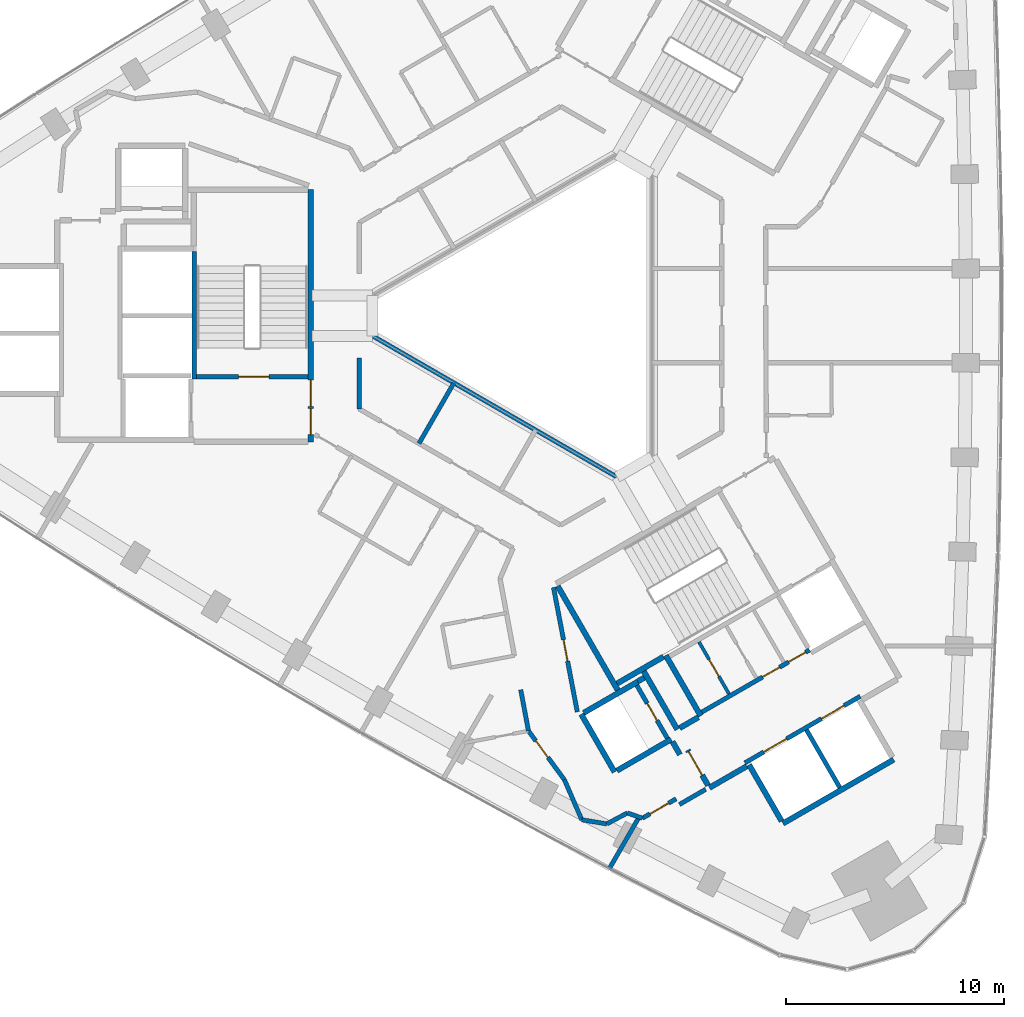
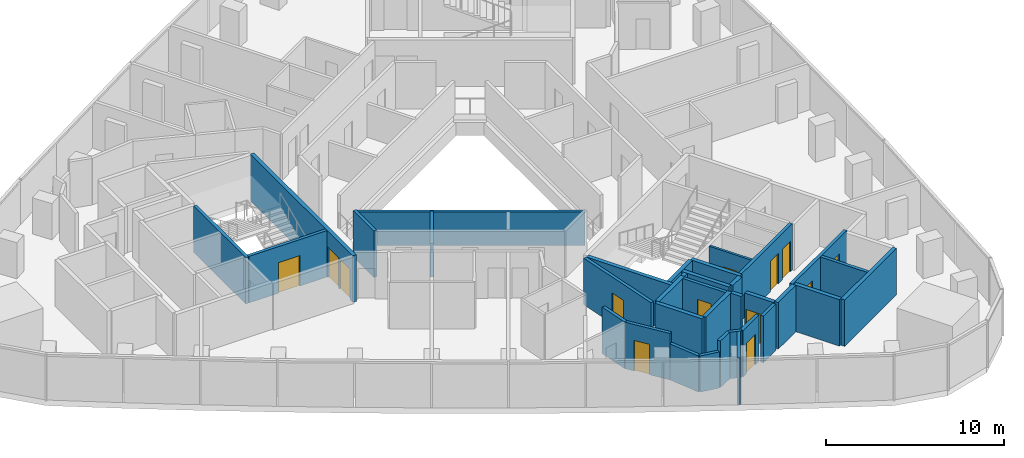
# One storey, part 8 of 13: 35 walls, 13 doors, 13 openings.
"""IFC4 building model written with IfcOpenShell, lengths in metres."""

from ifc_helpers import new_model, si_unit, direction, frame, frame_2d, origin, place, context, subcontext, project, spatial, rectangle, extrude, material, layer, layer_set, type_object, element, fill, save


model = new_model("IFC4")

# Units and contexts
model_context = context("Model", 3, precision=1e-05, world=origin(), true_north=direction((0.0, 1.0)))
body_context = subcontext(model_context, "Body", "Model", "MODEL_VIEW")
ifc_project = project(units=[si_unit("LENGTHUNIT", "METRE"), si_unit("AREAUNIT", "SQUARE_METRE"), si_unit("VOLUMEUNIT", "CUBIC_METRE"), si_unit("PLANEANGLEUNIT", "RADIAN"), si_unit("MASSUNIT", "GRAM", prefix="KILO")], contexts=[model_context])

# Site, building, storey
site_placement = place(None, origin())
site = spatial("IfcSite", under=ifc_project, at=site_placement, CompositionType="ELEMENT")
building_placement = place(site_placement, origin())
building = spatial("IfcBuilding", under=site, at=building_placement, Name="Tamra Quay Hotel Tower", CompositionType="ELEMENT")
storey_placement = place(building_placement, frame((0.0, 0.0, 161.199951171875)))
storey = spatial("IfcBuildingStorey", under=building, at=storey_placement, Name="L40", CompositionType="ELEMENT", Elevation=161.199951171875)

# Wall
ifc_material_1 = material(Name="Concrete M70", Category="concrete")
ifc_layer_1 = layer(ifc_material_1, 0.199951171875)
ifc_layer_set_1 = layer_set([ifc_layer_1], Name="Concrete M70 core wall 200")
wall_type_1 = type_object("IfcWallType", Name="Concrete M70 core wall 200", PredefinedType="SHEAR", material=ifc_layer_set_1)
wall_1_placement = place(storey_placement, frame((-16.162109375, 2.95068359375, 0.0), z_axis=(0.0, 0.0, 1.0), x_axis=(0.0, -1.0, 0.0)))
element("IfcWall", 1, at=wall_1_placement, inside=storey, type_object=wall_type_1, Name="CW2", PredefinedType="SHEAR", context=body_context, shape_type="SweptSolid", body=[
    extrude(rectangle(XDim=5.850830078125, YDim=0.199951171875, at=frame_2d((2.92529296875, 0.0))), origin(), (0.0, 0.0, 1.0), 3.199951171875),
])

# Wall, opening, door
wall_2_placement = place(storey_placement, frame((-10.96337890625, -2.800048828125, 0.0), z_axis=(0.0, 0.0, 1.0), x_axis=(-1.0, 0.0, 0.0)))
wall_2 = element("IfcWall", 2, at=wall_2_placement, inside=storey, type_object=wall_type_1, Name="CW2", PredefinedType="SHEAR", context=body_context, shape_type="SweptSolid", body=[
    extrude(rectangle(XDim=5.097900390625, YDim=0.199951171875, at=frame_2d((2.548828125, 0.0))), origin(), (0.0, 0.0, 1.0), 3.199951171875),
])
opening_1_placement = place(wall_2_placement, frame((1.77392578125, 0.0, 0.0)))
opening_1 = element("IfcOpeningElement", 3, at=opening_1_placement, cuts=wall_2, Name="Opening FD2", PredefinedType="OPENING", context=body_context, shape_type="SweptSolid", body=[
    extrude(rectangle(XDim=1.39990234375, YDim=2.10009765625, at=frame_2d((0.699951171875, 1.050048828125))), frame((0.0, 0.10986328125, 0.0), z_axis=(0.0, -1.0, 0.0), x_axis=(1.0, 0.0, 0.0)), (0.0, 0.0, 1.0), 0.219970703125),
])
ifc_material_2 = material(Name="Core door FD2 1400x2100 LH")
door_type_1 = type_object("IfcDoorType", Name="Core door FD2 1400x2100 LH", OperationType="NOTDEFINED", PredefinedType="DOOR", material=ifc_material_2)
door_1_placement = place(opening_1_placement, origin())
door_1 = element("IfcDoor", 4, at=door_1_placement, inside=storey, type_object=door_type_1, Name="FD2", OperationType="SINGLE_SWING_LEFT", OverallHeight=2.10009765625, OverallWidth=1.39990234375, PredefinedType="DOOR", context=body_context, shape_type="SweptSolid", body=[
    extrude(rectangle(XDim=1.39990234375, YDim=2.10009765625, at=frame_2d((0.699951171875, 1.050048828125))), frame((0.0, 0.02490234375, 0.0), z_axis=(0.0, -1.0, 0.0), x_axis=(1.0, 0.0, 0.0)), (0.0, 0.0, 1.0), 0.050048828125),
])
fill(opening_1, door_1)

# Wall, openings, doors
wall_3_placement = place(storey_placement, frame((9.052490234375, -20.479736328125, 0.0), z_axis=(0.0, 0.0, 1.0), x_axis=(0.866030299012, 0.499991521122, 0.0)))
wall_3 = element("IfcWall", 5, at=wall_3_placement, inside=storey, type_object=wall_type_1, Name="CW2", PredefinedType="SHEAR", context=body_context, shape_type="SweptSolid", body=[
    extrude(rectangle(XDim=6.10009765625, YDim=0.199951171875, at=frame_2d((3.050048828125, 0.0))), origin(), (0.0, 0.0, 1.0), 3.199951171875),
])
opening_2_placement = place(wall_3_placement, frame((1.0, 0.0, 0.0)))
opening_2 = element("IfcOpeningElement", 6, at=opening_2_placement, cuts=wall_3, Name="Opening LD", PredefinedType="OPENING", context=body_context, shape_type="SweptSolid", body=[
    extrude(rectangle(XDim=1.199951171875, YDim=2.10009765625, at=frame_2d((0.60009765625, 1.050048828125))), frame((0.0, 0.10986328125, 0.0), z_axis=(0.0, -1.0, 0.0), x_axis=(1.0, 0.0, 0.0)), (0.0, 0.0, 1.0), 0.219970703125),
])
opening_3_placement = place(wall_3_placement, frame((4.05029296875, 0.0, 0.0)))
opening_3 = element("IfcOpeningElement", 7, at=opening_3_placement, cuts=wall_3, Name="Opening LD", PredefinedType="OPENING", context=body_context, shape_type="SweptSolid", body=[
    extrude(rectangle(XDim=1.199951171875, YDim=2.10009765625, at=frame_2d((0.60009765625, 1.050048828125))), frame((0.0, 0.10986328125, 0.0), z_axis=(0.0, -1.0, 0.0), x_axis=(1.0, 0.0, 0.0)), (0.0, 0.0, 1.0), 0.219970703125),
])
ifc_material_3 = material(Name="Landing door LD 1200 double door sliding")
door_type_2 = type_object("IfcDoorType", Name="Landing door LD 1200 double door sliding", OperationType="DOUBLE_DOOR_SLIDING", PredefinedType="DOOR", material=ifc_material_3)
door_2_placement = place(opening_2_placement, origin())
door_2 = element("IfcDoor", 8, at=door_2_placement, inside=storey, type_object=door_type_2, Name="LD", OperationType="DOUBLE_DOOR_SLIDING", OverallHeight=2.10009765625, OverallWidth=1.199951171875, PredefinedType="DOOR", context=body_context, shape_type="SweptSolid", body=[
    extrude(rectangle(XDim=1.199951171875, YDim=2.10009765625, at=frame_2d((0.60009765625, 1.050048828125))), frame((0.0, 0.02490234375, 0.0), z_axis=(0.0, -1.0, 0.0), x_axis=(1.0, 0.0, 0.0)), (0.0, 0.0, 1.0), 0.050048828125),
])
fill(opening_2, door_2)
door_3_placement = place(opening_3_placement, origin())
door_3 = element("IfcDoor", 9, at=door_3_placement, inside=storey, type_object=door_type_2, Name="LD", OperationType="DOUBLE_DOOR_SLIDING", OverallHeight=2.10009765625, OverallWidth=1.199951171875, PredefinedType="DOOR", context=body_context, shape_type="SweptSolid", body=[
    extrude(rectangle(XDim=1.199951171875, YDim=2.10009765625, at=frame_2d((0.60009765625, 1.050048828125))), frame((0.0, 0.02490234375, 0.0), z_axis=(0.0, -1.0, 0.0), x_axis=(1.0, 0.0, 0.0)), (0.0, 0.0, 1.0), 0.050048828125),
])
fill(opening_3, door_3)

wall_4_placement = place(storey_placement, frame((7.0771484375, -18.156005859375, 0.0), z_axis=(0.0, 0.0, 1.0), x_axis=(0.866038630372, 0.499977090179, 0.0)))
wall_4 = element("IfcWall", 10, at=wall_4_placement, inside=storey, type_object=wall_type_1, Name="CW2", PredefinedType="SHEAR", context=body_context, shape_type="SweptSolid", body=[
    extrude(rectangle(XDim=5.698974609375, YDim=0.199951171875, at=frame_2d((2.849609375, 0.0))), origin(), (0.0, 0.0, 1.0), 3.199951171875),
])
opening_4_placement = place(wall_4_placement, frame((3.22412109375, 0.0, 0.0)))
opening_4 = element("IfcOpeningElement", 11, at=opening_4_placement, cuts=wall_4, Name="Opening D2", PredefinedType="OPENING", context=body_context, shape_type="SweptSolid", body=[
    extrude(rectangle(XDim=0.89990234375, YDim=2.10009765625, at=frame_2d((0.449951171875, 1.050048828125))), frame((0.0, 0.10986328125, 0.0), z_axis=(0.0, -1.0, 0.0), x_axis=(1.0, 0.0, 0.0)), (0.0, 0.0, 1.0), 0.219970703125),
])
opening_5_placement = place(wall_4_placement, frame((4.59912109375, 0.0, 0.0)))
opening_5 = element("IfcOpeningElement", 12, at=opening_5_placement, cuts=wall_4, Name="Opening D2", PredefinedType="OPENING", context=body_context, shape_type="SweptSolid", body=[
    extrude(rectangle(XDim=0.89990234375, YDim=2.10009765625, at=frame_2d((0.449951171875, 1.050048828125))), frame((0.0, 0.10986328125, 0.0), z_axis=(0.0, -1.0, 0.0), x_axis=(1.0, 0.0, 0.0)), (0.0, 0.0, 1.0), 0.219970703125),
])
ifc_material_4 = material(Name="Core door D2 900x2100 LH")
door_type_3 = type_object("IfcDoorType", Name="Core door D2 900x2100 LH", OperationType="NOTDEFINED", PredefinedType="DOOR", material=ifc_material_4)
door_4_placement = place(opening_4_placement, origin())
door_4 = element("IfcDoor", 13, at=door_4_placement, inside=storey, type_object=door_type_3, Name="D2", OperationType="SINGLE_SWING_LEFT", OverallHeight=2.10009765625, OverallWidth=0.89990234375, PredefinedType="DOOR", context=body_context, shape_type="SweptSolid", body=[
    extrude(rectangle(XDim=0.89990234375, YDim=2.10009765625, at=frame_2d((0.449951171875, 1.050048828125))), frame((0.0, 0.02490234375, 0.0), z_axis=(0.0, -1.0, 0.0), x_axis=(1.0, 0.0, 0.0)), (0.0, 0.0, 1.0), 0.050048828125),
])
fill(opening_4, door_4)
ifc_material_5 = material(Name="Core door D2 900x2100 RH")
door_type_4 = type_object("IfcDoorType", Name="Core door D2 900x2100 RH", OperationType="NOTDEFINED", PredefinedType="DOOR", material=ifc_material_5)
door_5_placement = place(opening_5_placement, origin())
door_5 = element("IfcDoor", 14, at=door_5_placement, inside=storey, type_object=door_type_4, Name="D2", OperationType="SINGLE_SWING_RIGHT", OverallHeight=2.10009765625, OverallWidth=0.89990234375, PredefinedType="DOOR", context=body_context, shape_type="SweptSolid", body=[
    extrude(rectangle(XDim=0.89990234375, YDim=2.10009765625, at=frame_2d((0.449951171875, 1.050048828125))), frame((0.0, 0.02490234375, 0.0), z_axis=(0.0, -1.0, 0.0), x_axis=(1.0, 0.0, 0.0)), (0.0, 0.0, 1.0), 0.050048828125),
])
fill(opening_5, door_5)

# Wall
wall_5_placement = place(storey_placement, frame((11.87451171875, -18.967041015625, 0.0), z_axis=(0.0, 0.0, 1.0), x_axis=(0.49998131003, -0.866036194175, 0.0)))
element("IfcWall", 15, at=wall_5_placement, inside=storey, type_object=wall_type_1, Name="CW2", PredefinedType="SHEAR", context=body_context, shape_type="SweptSolid", body=[
    extrude(rectangle(XDim=3.0478515625, YDim=0.199951171875, at=frame_2d((1.52392578125, 0.0))), origin(), (0.0, 0.0, 1.0), 3.199951171875),
])

# Wall, opening, door
wall_6_placement = place(storey_placement, frame((5.50341796875, -19.352294921875, 0.0), z_axis=(0.0, 0.0, 1.0), x_axis=(-0.499986818241, 0.866033014143, 0.0)))
wall_6 = element("IfcWall", 16, at=wall_6_placement, inside=storey, type_object=wall_type_1, Name="CW2", PredefinedType="SHEAR", context=body_context, shape_type="SweptSolid", body=[
    extrude(rectangle(XDim=2.7978515625, YDim=0.199951171875, at=frame_2d((1.39892578125, 0.0))), origin(), (0.0, 0.0, 1.0), 3.199951171875),
])
opening_6_placement = place(wall_6_placement, frame((0.948974609375, 0.0, 0.0)))
opening_6 = element("IfcOpeningElement", 17, at=opening_6_placement, cuts=wall_6, Name="Opening D1", PredefinedType="OPENING", context=body_context, shape_type="SweptSolid", body=[
    extrude(rectangle(XDim=0.89990234375, YDim=2.10009765625, at=frame_2d((0.449951171875, 1.050048828125))), frame((0.0, 0.10986328125, 0.0), z_axis=(0.0, -1.0, 0.0), x_axis=(1.0, 0.0, 0.0)), (0.0, 0.0, 1.0), 0.219970703125),
])
ifc_material_6 = material(Name="Core door D1 900x2100 LH")
door_type_5 = type_object("IfcDoorType", Name="Core door D1 900x2100 LH", OperationType="NOTDEFINED", PredefinedType="DOOR", material=ifc_material_6)
door_6_placement = place(opening_6_placement, origin())
door_6 = element("IfcDoor", 18, at=door_6_placement, inside=storey, type_object=door_type_5, Name="D1", OperationType="SINGLE_SWING_LEFT", OverallHeight=2.10009765625, OverallWidth=0.89990234375, PredefinedType="DOOR", context=body_context, shape_type="SweptSolid", body=[
    extrude(rectangle(XDim=0.89990234375, YDim=2.10009765625, at=frame_2d((0.449951171875, 1.050048828125))), frame((0.0, 0.02490234375, 0.0), z_axis=(0.0, -1.0, 0.0), x_axis=(1.0, 0.0, 0.0)), (0.0, 0.0, 1.0), 0.050048828125),
])
fill(opening_6, door_6)

# Wall, openings, doors
ifc_layer_2 = layer(ifc_material_1, 0.25)
ifc_layer_set_2 = layer_set([ifc_layer_2], Name="Concrete M70 core wall 250")
wall_type_2 = type_object("IfcWallType", Name="Concrete M70 core wall 250", PredefinedType="SHEAR", material=ifc_layer_set_2)
wall_7_placement = place(storey_placement, frame((-10.83740234375, 5.77490234375, 0.0), z_axis=(0.0, 0.0, 1.0), x_axis=(0.0, -1.0, 0.0)))
wall_7 = element("IfcWall", 19, at=wall_7_placement, inside=storey, type_object=wall_type_2, Name="CW1", PredefinedType="SHEAR", context=body_context, shape_type="SweptSolid", body=[
    extrude(rectangle(XDim=11.5498046875, YDim=0.25, at=frame_2d((5.77490234375, 0.0))), origin(), (0.0, 0.0, 1.0), 3.199951171875),
])
opening_7_placement = place(wall_7_placement, frame((10.02490234375, 0.0, 0.0)))
opening_7 = element("IfcOpeningElement", 20, at=opening_7_placement, cuts=wall_7, Name="Opening FD1", PredefinedType="OPENING", context=body_context, shape_type="SweptSolid", body=[
    extrude(rectangle(XDim=1.199951171875, YDim=2.10009765625, at=frame_2d((0.60009765625, 1.050048828125))), frame((0.0, 0.135009765625, 0.0), z_axis=(0.0, -1.0, 0.0), x_axis=(1.0, 0.0, 0.0)), (0.0, 0.0, 1.0), 0.27001953125),
])
opening_8_placement = place(wall_7_placement, frame((8.72509765625, 0.0, 0.0)))
opening_8 = element("IfcOpeningElement", 21, at=opening_8_placement, cuts=wall_7, Name="Opening FD1", PredefinedType="OPENING", context=body_context, shape_type="SweptSolid", body=[
    extrude(rectangle(XDim=1.199951171875, YDim=2.10009765625, at=frame_2d((0.60009765625, 1.050048828125))), frame((0.0, 0.135009765625, 0.0), z_axis=(0.0, -1.0, 0.0), x_axis=(1.0, 0.0, 0.0)), (0.0, 0.0, 1.0), 0.27001953125),
])
ifc_material_7 = material(Name="Core door FD1 1200x2100 LH")
door_type_6 = type_object("IfcDoorType", Name="Core door FD1 1200x2100 LH", OperationType="NOTDEFINED", PredefinedType="DOOR", material=ifc_material_7)
door_7_placement = place(opening_7_placement, origin())
door_7 = element("IfcDoor", 22, at=door_7_placement, inside=storey, type_object=door_type_6, Name="FD1", OperationType="SINGLE_SWING_LEFT", OverallHeight=2.10009765625, OverallWidth=1.199951171875, PredefinedType="DOOR", context=body_context, shape_type="SweptSolid", body=[
    extrude(rectangle(XDim=1.199951171875, YDim=2.10009765625, at=frame_2d((0.60009765625, 1.050048828125))), frame((0.0, 0.02490234375, 0.0), z_axis=(0.0, -1.0, 0.0), x_axis=(1.0, 0.0, 0.0)), (0.0, 0.0, 1.0), 0.050048828125),
])
fill(opening_7, door_7)
ifc_material_8 = material(Name="Core door FD1 1200x2100 RH")
door_type_7 = type_object("IfcDoorType", Name="Core door FD1 1200x2100 RH", OperationType="NOTDEFINED", PredefinedType="DOOR", material=ifc_material_8)
door_8_placement = place(opening_8_placement, origin())
door_8 = element("IfcDoor", 23, at=door_8_placement, inside=storey, type_object=door_type_7, Name="FD1", OperationType="SINGLE_SWING_RIGHT", OverallHeight=2.10009765625, OverallWidth=1.199951171875, PredefinedType="DOOR", context=body_context, shape_type="SweptSolid", body=[
    extrude(rectangle(XDim=1.199951171875, YDim=2.10009765625, at=frame_2d((0.60009765625, 1.050048828125))), frame((0.0, 0.02490234375, 0.0), z_axis=(0.0, -1.0, 0.0), x_axis=(1.0, 0.0, 0.0)), (0.0, 0.0, 1.0), 0.050048828125),
])
fill(opening_8, door_8)

# Walls
wall_8_placement = place(storey_placement, frame((15.86474609375, -20.328369140625, 0.0), z_axis=(0.0, 0.0, 1.0), x_axis=(-0.86602852612, -0.499994591916, 0.0)))
element("IfcWall", 24, at=wall_8_placement, inside=storey, type_object=wall_type_2, Name="CW1", PredefinedType="SHEAR", context=body_context, shape_type="SweptSolid", body=[
    extrude(rectangle(XDim=5.85009765625, YDim=0.25, at=frame_2d((2.925048828125, 0.0))), origin(), (0.0, 0.0, 1.0), 3.199951171875),
])
wall_9_placement = place(storey_placement, frame((3.23486328125, -17.15283203125, 0.0), z_axis=(0.0, 0.0, 1.0), x_axis=(-0.500008851346, 0.866020293397, 0.0)))
element("IfcWall", 25, at=wall_9_placement, inside=storey, type_object=wall_type_2, Name="CW1", PredefinedType="SHEAR", context=body_context, shape_type="SweptSolid", body=[
    extrude(rectangle(XDim=5.509765625, YDim=0.25, at=frame_2d((2.7548828125, 0.0))), origin(), (0.0, 0.0, 1.0), 3.199951171875),
])
wall_10_placement = place(storey_placement, frame((7.030517578125, -18.327392578125, 0.0), z_axis=(0.0, 0.0, 1.0), x_axis=(-0.499971222258, 0.866042017984, 0.0)))
element("IfcWall", 26, at=wall_10_placement, inside=storey, type_object=wall_type_2, Name="CW1", PredefinedType="SHEAR", context=body_context, shape_type="SweptSolid", body=[
    extrude(rectangle(XDim=3.199951171875, YDim=0.25, at=frame_2d((1.60009765625, 0.0))), origin(), (0.0, 0.0, 1.0), 3.199951171875),
])
wall_11_placement = place(storey_placement, frame((10.73583984375, -23.144775390625, 0.0), z_axis=(0.0, 0.0, 1.0), x_axis=(-0.500023226632, 0.866011993467, 0.0)))
element("IfcWall", 27, at=wall_11_placement, inside=storey, type_object=wall_type_2, Name="CW1", PredefinedType="SHEAR", context=body_context, shape_type="SweptSolid", body=[
    extrude(rectangle(XDim=2.974365234375, YDim=0.25, at=frame_2d((1.4873046875, 0.0))), origin(), (0.0, 0.0, 1.0), 3.199951171875),
])
wall_12_placement = place(storey_placement, frame((3.085205078125, -20.893798828125, 0.0), z_axis=(0.0, 0.0, 1.0), x_axis=(-0.499978833458, 0.866037623948, 0.0)))
element("IfcWall", 28, at=wall_12_placement, inside=storey, type_object=wall_type_2, Name="CW1", PredefinedType="SHEAR", context=body_context, shape_type="SweptSolid", body=[
    extrude(rectangle(XDim=3.050048828125, YDim=0.25, at=frame_2d((1.52490234375, 0.0))), origin(), (0.0, 0.0, 1.0), 3.199951171875),
])
wall_13_placement = place(storey_placement, frame((1.6689453125, -18.189697265625, 0.0), z_axis=(0.0, 0.0, 1.0), x_axis=(0.866042235819, 0.499970844928, 0.0)))
element("IfcWall", 29, at=wall_13_placement, inside=storey, type_object=wall_type_2, Name="CW1", PredefinedType="SHEAR", context=body_context, shape_type="SweptSolid", body=[
    extrude(rectangle(XDim=2.864501953125, YDim=0.25, at=frame_2d((1.43212890625, 0.0))), origin(), (0.0, 0.0, 1.0), 3.199951171875),
])
wall_14_placement = place(storey_placement, frame((5.6748046875, -19.39892578125, 0.0), z_axis=(0.0, 0.0, 1.0), x_axis=(-0.866026637627, -0.499997862916, 0.0)))
element("IfcWall", 30, at=wall_14_placement, inside=storey, type_object=wall_type_2, Name="CW1", PredefinedType="SHEAR", context=body_context, shape_type="SweptSolid", body=[
    extrude(rectangle(XDim=2.86474609375, YDim=0.25, at=frame_2d((1.432373046875, 0.0))), origin(), (0.0, 0.0, 1.0), 3.199951171875),
])
wall_15_placement = place(storey_placement, frame((4.414306640625, -16.275634765625, 0.0), z_axis=(0.0, 0.0, 1.0), x_axis=(0.500003324108, -0.866023484601, 0.0)))
element("IfcWall", 31, at=wall_15_placement, inside=storey, type_object=wall_type_2, Name="CW1", PredefinedType="SHEAR", context=body_context, shape_type="SweptSolid", body=[
    extrude(rectangle(XDim=3.0849609375, YDim=0.25, at=frame_2d((1.54248046875, 0.0))), origin(), (0.0, 0.0, 1.0), 3.199951171875),
])
wall_16_placement = place(storey_placement, frame((5.322021484375, -15.618896484375, 0.0), z_axis=(0.0, 0.0, 1.0), x_axis=(-0.866026229868, -0.499998569178, 0.0)))
element("IfcWall", 32, at=wall_16_placement, inside=storey, type_object=wall_type_2, Name="CW1", PredefinedType="SHEAR", context=body_context, shape_type="SweptSolid", body=[
    extrude(rectangle(XDim=2.44921875, YDim=0.25, at=frame_2d((1.224609375, 0.0))), origin(), (0.0, 0.0, 1.0), 3.199951171875),
])
wall_17_placement = place(storey_placement, frame((9.139892578125, -20.63134765625, 0.0), z_axis=(0.0, 0.0, 1.0), x_axis=(-0.866043531843, -0.499968599967, 0.0)))
element("IfcWall", 33, at=wall_17_placement, inside=storey, type_object=wall_type_2, Name="CW1", PredefinedType="SHEAR", context=body_context, shape_type="SweptSolid", body=[
    extrude(rectangle(XDim=1.974853515625, YDim=0.25, at=frame_2d((0.9873046875, 0.0))), origin(), (0.0, 0.0, 1.0), 3.199951171875),
])

# Wall, opening, door
wall_18_placement = place(storey_placement, frame((7.3671875, -21.51025390625, 0.0), z_axis=(0.0, 0.0, 1.0), x_axis=(-0.499983108224, 0.866035156036, 0.0)))
wall_18 = element("IfcWall", 34, at=wall_18_placement, inside=storey, type_object=wall_type_2, Name="CW1", PredefinedType="SHEAR", context=body_context, shape_type="SweptSolid", body=[
    extrude(rectangle(XDim=1.86474609375, YDim=0.25, at=frame_2d((0.932373046875, 0.0))), origin(), (0.0, 0.0, 1.0), 3.199951171875),
])
opening_9_placement = place(wall_18_placement, frame((0.53466796875, 0.0, 0.0)))
opening_9 = element("IfcOpeningElement", 35, at=opening_9_placement, cuts=wall_18, Name="Opening FD3", PredefinedType="OPENING", context=body_context, shape_type="SweptSolid", body=[
    extrude(rectangle(XDim=1.25, YDim=2.10009765625, at=frame_2d((0.625, 1.050048828125))), frame((0.0, 0.135009765625, 0.0), z_axis=(0.0, -1.0, 0.0), x_axis=(1.0, 0.0, 0.0)), (0.0, 0.0, 1.0), 0.27001953125),
])
ifc_material_9 = material(Name="Core door FD3 1250x2100 LH")
door_type_8 = type_object("IfcDoorType", Name="Core door FD3 1250x2100 LH", OperationType="NOTDEFINED", PredefinedType="DOOR", material=ifc_material_9)
door_9_placement = place(opening_9_placement, origin())
door_9 = element("IfcDoor", 36, at=door_9_placement, inside=storey, type_object=door_type_8, Name="FD3", OperationType="SINGLE_SWING_LEFT", OverallHeight=2.10009765625, OverallWidth=1.25, PredefinedType="DOOR", context=body_context, shape_type="SweptSolid", body=[
    extrude(rectangle(XDim=1.25, YDim=2.10009765625, at=frame_2d((0.625, 1.050048828125))), frame((0.0, 0.02490234375, 0.0), z_axis=(0.0, -1.0, 0.0), x_axis=(1.0, 0.0, 0.0)), (0.0, 0.0, 1.0), 0.050048828125),
])
fill(opening_9, door_9)

# Walls
wall_19_placement = place(storey_placement, frame((6.0654296875, -18.884765625, 0.0), z_axis=(0.0, 0.0, 1.0), x_axis=(0.866017078145, 0.500014420154, 0.0)))
element("IfcWall", 37, at=wall_19_placement, inside=storey, type_object=wall_type_2, Name="CW1", PredefinedType="SHEAR", context=body_context, shape_type="SweptSolid", body=[
    extrude(rectangle(XDim=0.9892578125, YDim=0.25, at=frame_2d((0.49462890625, 0.0))), origin(), (0.0, 0.0, 1.0), 3.199951171875),
])
wall_20_placement = place(storey_placement, frame((6.07958984375, -20.100341796875, 0.0), z_axis=(0.0, 0.0, 1.0), x_axis=(-0.500051773299, 0.865995510393, 0.0)))
element("IfcWall", 38, at=wall_20_placement, inside=storey, type_object=wall_type_2, Name="CW1", PredefinedType="SHEAR", context=body_context, shape_type="SweptSolid", body=[
    extrude(rectangle(XDim=0.6845703125, YDim=0.25, at=frame_2d((0.34228515625, 0.0))), origin(), (0.0, 0.0, 1.0), 3.199951171875),
])
wall_21_placement = place(storey_placement, frame((4.144775390625, -16.748779296875, 0.0), z_axis=(0.0, 0.0, 1.0), x_axis=(0.866185586049, 0.49972245349, 0.0)))
element("IfcWall", 39, at=wall_21_placement, inside=storey, type_object=wall_type_2, Name="CW1", PredefinedType="SHEAR", context=body_context, shape_type="SweptSolid", body=[
    extrude(rectangle(XDim=0.344482421875, YDim=0.25, at=frame_2d((0.17236328125, 0.0))), origin(), (0.0, 0.0, 1.0), 3.199951171875),
])

# Wall, opening, door
ifc_material_10 = material(Name="Blockwork", Category="masonry")
ifc_layer_3 = layer(ifc_material_10, 0.14990234375)
ifc_layer_set_3 = layer_set([ifc_layer_3], Name="Core partition block 150")
wall_type_3 = type_object("IfcWallType", Name="Core partition block 150", PredefinedType="PARTITIONING", material=ifc_layer_set_3)
wall_22_placement = place(storey_placement, frame((6.950927734375, -14.93896484375, 0.0), z_axis=(0.0, 0.0, 1.0), x_axis=(0.499988999718, -0.866031754707, 0.0)))
wall_22 = element("IfcWall", 40, at=wall_22_placement, inside=storey, type_object=wall_type_3, Name="CP1", PredefinedType="PARTITIONING", context=body_context, shape_type="SweptSolid", body=[
    extrude(rectangle(XDim=2.74853515625, YDim=0.14990234375, at=frame_2d((1.374267578125, 0.0))), origin(), (0.0, 0.0, 1.0), 3.199951171875),
])
opening_10_placement = place(wall_22_placement, frame((0.92431640625, 0.0, 0.0)))
opening_10 = element("IfcOpeningElement", 41, at=opening_10_placement, cuts=wall_22, Name="Opening D2", PredefinedType="OPENING", context=body_context, shape_type="SweptSolid", body=[
    extrude(rectangle(XDim=0.89990234375, YDim=2.10009765625, at=frame_2d((0.449951171875, 1.050048828125))), frame((0.0, 0.0849609375, 0.0), z_axis=(0.0, -1.0, 0.0), x_axis=(1.0, 0.0, 0.0)), (0.0, 0.0, 1.0), 0.169921875),
])
door_10_placement = place(opening_10_placement, origin())
door_10 = element("IfcDoor", 42, at=door_10_placement, inside=storey, type_object=door_type_3, Name="D2", OperationType="SINGLE_SWING_LEFT", OverallHeight=2.10009765625, OverallWidth=0.89990234375, PredefinedType="DOOR", context=body_context, shape_type="SweptSolid", body=[
    extrude(rectangle(XDim=0.89990234375, YDim=2.10009765625, at=frame_2d((0.449951171875, 1.050048828125))), frame((0.0, 0.02490234375, 0.0), z_axis=(0.0, -1.0, 0.0), x_axis=(1.0, 0.0, 0.0)), (0.0, 0.0, 1.0), 0.050048828125),
])
fill(opening_10, door_10)

# Walls
ifc_material_11 = material(Name="Partition corridor wall")
ifc_layer_4 = layer(ifc_material_11, 0.199951171875)
ifc_layer_set_4 = layer_set([ifc_layer_4], Name="Partition corridor wall")
wall_type_4 = type_object("IfcWallType", Name="Partition corridor wall", PredefinedType="PARTITIONING", material=ifc_layer_set_4)
wall_23_placement = place(storey_placement, frame((-8.612060546875, -4.264892578125, 0.0), z_axis=(0.0, 0.0, 1.0), x_axis=(0.0, 1.0, 0.0)))
element("IfcWall", 43, at=wall_23_placement, inside=storey, type_object=wall_type_4, Name="W-C", PredefinedType="PARTITIONING", context=body_context, shape_type="SweptSolid", body=[
    extrude(rectangle(XDim=2.3388671875, YDim=0.199951171875, at=frame_2d((1.16943359375, 0.0))), origin(), (0.0, 0.0, 1.0), 3.199951171875),
])
wall_24_placement = place(storey_placement, frame((-1.211669921875, -17.13134765625, 0.0), z_axis=(0.0, 0.0, 1.0), x_axis=(0.183680924698, -0.982985919483, 0.0)))
element("IfcWall", 44, at=wall_24_placement, inside=storey, type_object=wall_type_4, Name="W-C", PredefinedType="PARTITIONING", context=body_context, shape_type="SweptSolid", body=[
    extrude(rectangle(XDim=1.916748046875, YDim=0.199951171875, at=frame_2d((0.95849609375, 0.0))), origin(), (0.0, 0.0, 1.0), 3.199951171875),
])

# Wall, opening, door
wall_25_placement = place(storey_placement, frame((-0.85791015625, -19.01611328125, 0.0), z_axis=(0.0, 0.0, 1.0), x_axis=(0.593123867414, -0.805111220829, 0.0)))
wall_25 = element("IfcWall", 45, at=wall_25_placement, inside=storey, type_object=wall_type_4, Name="W-C", PredefinedType="PARTITIONING", context=body_context, shape_type="SweptSolid", body=[
    extrude(rectangle(XDim=2.769775390625, YDim=0.199951171875, at=frame_2d((1.384765625, 0.0))), origin(), (0.0, 0.0, 1.0), 3.199951171875),
])
opening_11_placement = place(wall_25_placement, frame((0.554931640625, 0.0, 0.0)))
opening_11 = element("IfcOpeningElement", 46, at=opening_11_placement, cuts=wall_25, Name="Opening L40-D021", PredefinedType="OPENING", context=body_context, shape_type="SweptSolid", body=[
    extrude(rectangle(XDim=0.949951171875, YDim=2.10009765625, at=frame_2d((0.47509765625, 1.050048828125))), frame((0.0, 0.10986328125, 0.0), z_axis=(0.0, -1.0, 0.0), x_axis=(1.0, 0.0, 0.0)), (0.0, 0.0, 1.0), 0.219970703125),
])
ifc_material_12 = material(Name="Door guest room 950x2100")
door_type_9 = type_object("IfcDoorType", Name="Door guest room 950x2100", OperationType="NOTDEFINED", PredefinedType="DOOR", material=ifc_material_12)
door_11_placement = place(opening_11_placement, frame((0.949951171875, 0.0, 0.0), z_axis=(0.0, 0.0, 1.0), x_axis=(-1.0, 0.0, 0.0)))
door_11 = element("IfcDoor", 47, at=door_11_placement, inside=storey, type_object=door_type_9, Name="L40-D021", OperationType="SINGLE_SWING_LEFT", OverallHeight=2.10009765625, OverallWidth=0.949951171875, PredefinedType="DOOR", context=body_context, shape_type="SweptSolid", body=[
    extrude(rectangle(XDim=0.949951171875, YDim=2.10009765625, at=frame_2d((0.47509765625, 1.050048828125))), frame((0.0, 0.02490234375, 0.0), z_axis=(0.0, -1.0, 0.0), x_axis=(1.0, 0.0, 0.0)), (0.0, 0.0, 1.0), 0.050048828125),
])
fill(opening_11, door_11)

wall_26_placement = place(storey_placement, frame((0.2890625, -12.445068359375, 0.0), z_axis=(0.0, 0.0, 1.0), x_axis=(0.187668946952, -0.982232338273, 0.0)))
wall_26 = element("IfcWall", 48, at=wall_26_placement, inside=storey, type_object=wall_type_4, Name="W-C", PredefinedType="PARTITIONING", context=body_context, shape_type="SweptSolid", body=[
    extrude(rectangle(XDim=5.802001953125, YDim=0.199951171875, at=frame_2d((2.90087890625, 0.0))), origin(), (0.0, 0.0, 1.0), 3.199951171875),
])
opening_12_placement = place(wall_26_placement, frame((2.43310546875, 0.0, 0.0)))
opening_12 = element("IfcOpeningElement", 49, at=opening_12_placement, cuts=wall_26, Name="Opening L40-D020", PredefinedType="OPENING", context=body_context, shape_type="SweptSolid", body=[
    extrude(rectangle(XDim=1.0, YDim=2.10009765625, at=frame_2d((0.5, 1.050048828125))), frame((0.0, 0.10986328125, 0.0), z_axis=(0.0, -1.0, 0.0), x_axis=(1.0, 0.0, 0.0)), (0.0, 0.0, 1.0), 0.219970703125),
])
ifc_material_13 = material(Name="Door guest room 1000x2100")
door_type_10 = type_object("IfcDoorType", Name="Door guest room 1000x2100", OperationType="NOTDEFINED", PredefinedType="DOOR", material=ifc_material_13)
door_12_placement = place(opening_12_placement, origin())
door_12 = element("IfcDoor", 50, at=door_12_placement, inside=storey, type_object=door_type_10, Name="L40-D020", OperationType="SINGLE_SWING_LEFT", OverallHeight=2.10009765625, OverallWidth=1.0, PredefinedType="DOOR", context=body_context, shape_type="SweptSolid", body=[
    extrude(rectangle(XDim=1.0, YDim=2.10009765625, at=frame_2d((0.5, 1.050048828125))), frame((0.0, 0.02490234375, 0.0), z_axis=(0.0, -1.0, 0.0), x_axis=(1.0, 0.0, 0.0)), (0.0, 0.0, 1.0), 0.050048828125),
])
fill(opening_12, door_12)

# Walls
wall_27_placement = place(storey_placement, frame((0.784912109375, -21.24609375, 0.0), z_axis=(0.0, 0.0, 1.0), x_axis=(0.398365586627, -0.917226721913, 0.0)))
element("IfcWall", 51, at=wall_27_placement, inside=storey, type_object=wall_type_4, Name="W-C", PredefinedType="PARTITIONING", context=body_context, shape_type="SweptSolid", body=[
    extrude(rectangle(XDim=2.005859375, YDim=0.199951171875, at=frame_2d((1.0029296875, 0.0))), origin(), (0.0, 0.0, 1.0), 2.484130859375),
])
wall_28_placement = place(storey_placement, frame((1.583984375, -23.0859375, 0.0), z_axis=(0.0, 0.0, 1.0), x_axis=(0.986654221629, -0.162829502674, 0.0)))
element("IfcWall", 52, at=wall_28_placement, inside=storey, type_object=wall_type_4, Name="W-C", PredefinedType="PARTITIONING", context=body_context, shape_type="SweptSolid", body=[
    extrude(rectangle(XDim=1.160400390625, YDim=0.199951171875, at=frame_2d((0.580078125, 0.0))), origin(), (0.0, 0.0, 1.0), 2.484130859375),
])
wall_29_placement = place(storey_placement, frame((2.72998046875, -23.27490234375, 0.0), z_axis=(0.0, 0.0, 1.0), x_axis=(0.880927165636, 0.473251866182, 0.0)))
element("IfcWall", 53, at=wall_29_placement, inside=storey, type_object=wall_type_4, Name="W-C", PredefinedType="PARTITIONING", context=body_context, shape_type="SweptSolid", body=[
    extrude(rectangle(XDim=1.064697265625, YDim=0.199951171875, at=frame_2d((0.5322265625, 0.0))), origin(), (0.0, 0.0, 1.0), 3.199951171875),
])
wall_30_placement = place(storey_placement, frame((3.66796875, -22.77099609375, 0.0), z_axis=(0.0, 0.0, 1.0), x_axis=(0.944447470761, -0.328662402738, 0.0)))
element("IfcWall", 54, at=wall_30_placement, inside=storey, type_object=wall_type_4, Name="W-C", PredefinedType="PARTITIONING", context=body_context, shape_type="SweptSolid", body=[
    extrude(rectangle(XDim=0.734619140625, YDim=0.199951171875, at=frame_2d((0.3671875, 0.0))), origin(), (0.0, 0.0, 1.0), 3.199951171875),
])

# Wall, opening, door
wall_31_placement = place(storey_placement, frame((4.362060546875, -23.011962890625, 0.0), z_axis=(0.0, 0.0, 1.0), x_axis=(0.866692617793, 0.49884256661, 0.0)))
wall_31 = element("IfcWall", 55, at=wall_31_placement, inside=storey, type_object=wall_type_4, Name="W-C", PredefinedType="PARTITIONING", context=body_context, shape_type="SweptSolid", body=[
    extrude(rectangle(XDim=1.778076171875, YDim=0.199951171875, at=frame_2d((0.88916015625, 0.0))), origin(), (0.0, 0.0, 1.0), 3.199951171875),
])
opening_13_placement = place(wall_31_placement, frame((0.388916015625, 0.0, 0.0)))
opening_13 = element("IfcOpeningElement", 56, at=opening_13_placement, cuts=wall_31, Name="Opening L40-D023", PredefinedType="OPENING", context=body_context, shape_type="SweptSolid", body=[
    extrude(rectangle(XDim=1.0, YDim=2.10009765625, at=frame_2d((0.5, 1.050048828125))), frame((0.0, 0.10986328125, 0.0), z_axis=(0.0, -1.0, 0.0), x_axis=(1.0, 0.0, 0.0)), (0.0, 0.0, 1.0), 0.219970703125),
])
door_13_placement = place(opening_13_placement, frame((1.0, 0.0, 0.0), z_axis=(0.0, 0.0, 1.0), x_axis=(-1.0, 0.0, 0.0)))
door_13 = element("IfcDoor", 57, at=door_13_placement, inside=storey, type_object=door_type_10, Name="L40-D023", OperationType="SINGLE_SWING_LEFT", OverallHeight=2.10009765625, OverallWidth=1.0, PredefinedType="DOOR", context=body_context, shape_type="SweptSolid", body=[
    extrude(rectangle(XDim=1.0, YDim=2.10009765625, at=frame_2d((0.5, 1.050048828125))), frame((0.0, 0.02490234375, 0.0), z_axis=(0.0, -1.0, 0.0), x_axis=(1.0, 0.0, 0.0)), (0.0, 0.0, 1.0), 0.050048828125),
])
fill(opening_13, door_13)

# Walls
wall_32_placement = place(storey_placement, frame((6.053955078125, -22.385009765625, 0.0), z_axis=(0.0, 0.0, 1.0), x_axis=(0.86593101922, 0.500163443238, 0.0)))
element("IfcWall", 58, at=wall_32_placement, inside=storey, type_object=wall_type_4, Name="W-C", PredefinedType="PARTITIONING", context=body_context, shape_type="SweptSolid", body=[
    extrude(rectangle(XDim=1.3896484375, YDim=0.199951171875, at=frame_2d((0.69482421875, 0.0))), origin(), (0.0, 0.0, 1.0), 3.199951171875),
])
ifc_material_14 = material(Name="Partition party wall")
ifc_layer_5 = layer(ifc_material_14, 0.199951171875)
ifc_layer_set_5 = layer_set([ifc_layer_5], Name="Partition party wall")
wall_type_5 = type_object("IfcWallType", Name="Partition party wall", PredefinedType="PARTITIONING", material=ifc_layer_set_5)
wall_33_placement = place(storey_placement, frame((-8.0, -0.924072265625, 0.0), z_axis=(0.0, 0.0, 1.0), x_axis=(0.86604129137, -0.499972480886, 0.0)))
element("IfcWall", 59, at=wall_33_placement, inside=storey, type_object=wall_type_5, Name="W-P", PredefinedType="PARTITIONING", context=body_context, shape_type="SweptSolid", body=[
    extrude(rectangle(XDim=12.932373046875, YDim=0.199951171875, at=frame_2d((6.46630859375, 0.0))), origin(), (0.0, 0.0, 1.0), 2.300048828125),
])
wall_34_placement = place(storey_placement, frame((-5.872314453125, -5.84765625, 0.0), z_axis=(0.0, 0.0, 1.0), x_axis=(0.499872130319, 0.866099216793, 0.0)))
element("IfcWall", 60, at=wall_34_placement, inside=storey, type_object=wall_type_5, Name="W-P", PredefinedType="PARTITIONING", context=body_context, shape_type="SweptSolid", body=[
    extrude(rectangle(XDim=3.200439453125, YDim=0.199951171875, at=frame_2d((1.60009765625, 0.0))), origin(), (0.0, 0.0, 1.0), 2.300048828125),
])
wall_35_placement = place(storey_placement, frame((2.845458984375, -25.321044921875, 0.0), z_axis=(0.0, 0.0, 1.0), x_axis=(0.499942002849, 0.866058885866, 0.0)))
element("IfcWall", 61, at=wall_35_placement, inside=storey, type_object=wall_type_5, Name="W-P", PredefinedType="PARTITIONING", context=body_context, shape_type="SweptSolid", body=[
    extrude(rectangle(XDim=2.727294921875, YDim=0.199951171875, at=frame_2d((1.36376953125, 0.0))), origin(), (0.0, 0.0, 1.0), 3.199951171875),
])

save(model, "model.ifc")
